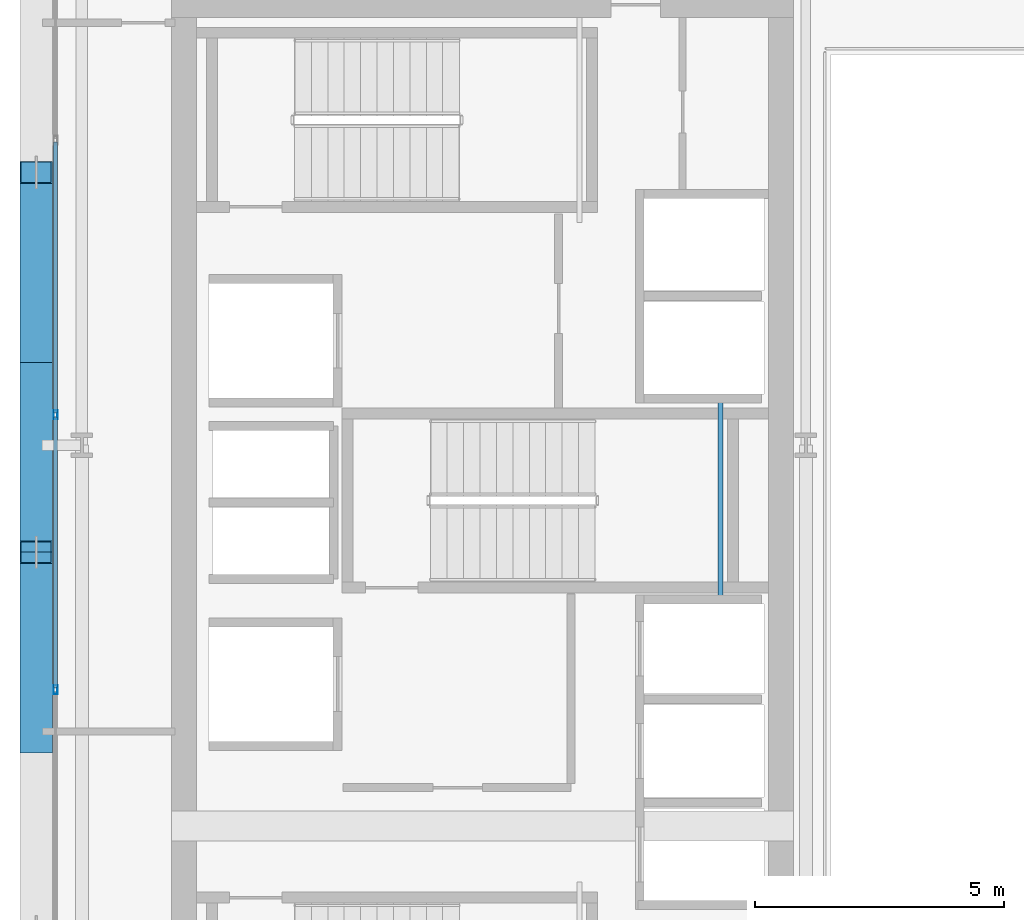
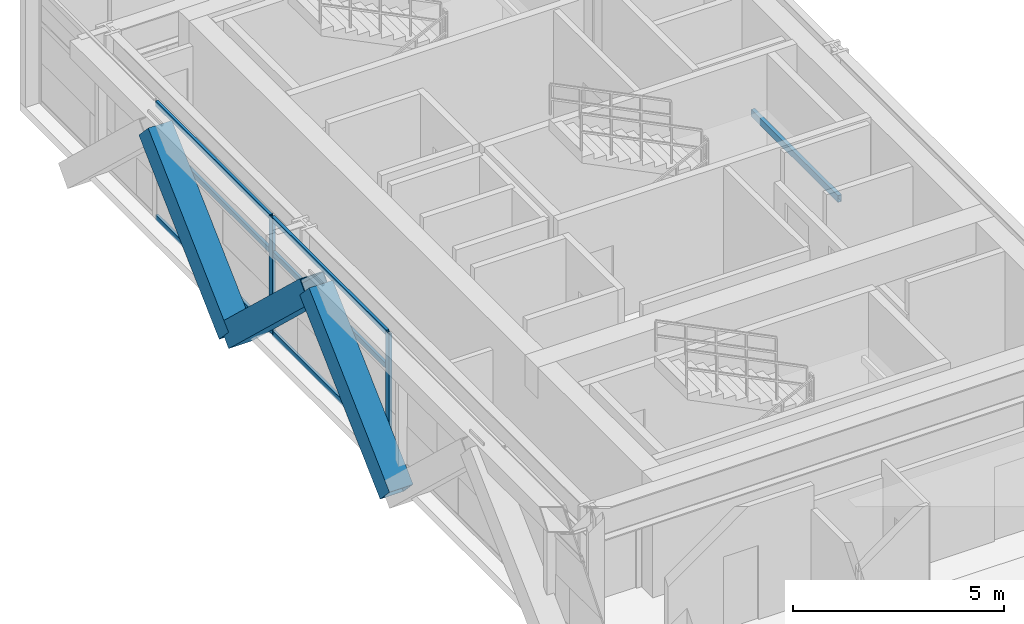
# One storey, part 7 of 31: 11 members, 1 beam, 1 element without a shape of its own.
"""IFC4 building model written with IfcOpenShell, lengths in metres."""

from ifc_helpers import new_model, si_unit, direction, frame, origin, origin_2d, place, context, subcontext, project, spatial, hollow_rectangle, extrude, source, transform, mapped, material, layer, layer_set, material_profile, profile_set, type_object, element, aggregate, save


model = new_model("IFC4")

# Units and contexts
model_context = context("Model", 3, precision=1e-05, world=origin(), true_north=direction((0.0, 1.0)))
body_context = subcontext(model_context, "Body", "Model", "MODEL_VIEW")
ifc_project = project(units=[si_unit("LENGTHUNIT", "METRE"), si_unit("AREAUNIT", "SQUARE_METRE"), si_unit("VOLUMEUNIT", "CUBIC_METRE"), si_unit("PLANEANGLEUNIT", "RADIAN"), si_unit("MASSUNIT", "GRAM", prefix="KILO")], contexts=[model_context])

# Site, building, storey
site_placement = place(None, origin())
site = spatial("IfcSite", under=ifc_project, at=site_placement, CompositionType="ELEMENT")
building_placement = place(site_placement, origin())
building = spatial("IfcBuilding", under=site, at=building_placement, Name="Ocotamira Hotel", CompositionType="ELEMENT")
storey_placement = place(building_placement, frame((0.0, 0.0, 181.199951171875)))
storey = spatial("IfcBuildingStorey", under=building, at=storey_placement, Name="L45", CompositionType="ELEMENT", Elevation=181.199951171875)

# Beam
ifc_material_1 = material(Name="Steel ASTM A500 Grade C", Category="steel")
ifc_material_profile_1 = material_profile(ifc_material_1, hollow_rectangle(XDim=0.10009765625, YDim=0.199951171875, WallThickness=0.008056640625, at=origin_2d()), Name="HSS200X100X8")
ifc_profile_set_1 = profile_set([ifc_material_profile_1], Name="Steel ASTM A500 Grade C")
beam_type = type_object("IfcBeamType", Name="BM-STLDG-HSS200", PredefinedType="BEAM", material=ifc_profile_set_1)
shared_shape_1 = source(origin(), body_context, "Body", "SweptSolid", [
    extrude(hollow_rectangle(XDim=0.10009765625, YDim=0.199951171875, WallThickness=0.008056640625, at=origin_2d()), origin(), (0.0, 0.0, 1.0), 4.1201171875),
])
beam_placement = place(storey_placement, frame((21.780029296875, 24.97998046875, 1.5), z_axis=(0.0, 1.0, 0.0), x_axis=(-1.0, 0.0, 0.0)))
element("IfcBeam", 1, at=beam_placement, inside=storey, type_object=beam_type, Name="L45 Stair ST-3 Landing Bearer 1", PredefinedType="BEAM", context=body_context, shape_type="MappedRepresentation", body=[
    mapped(shared_shape_1, transform((0.0, 0.0, 0.0), scale=1.0)),
])

# Members
ifc_material_2 = material(Name="Pale-metal coated steel ASTM A913 Grade 65", Category="steel")
ifc_material_profile_2 = material_profile(ifc_material_2, hollow_rectangle(XDim=0.64990234375, YDim=0.64990234375, WallThickness=0.02197265625, at=origin_2d()), Name="BOX650X650X22")
ifc_profile_set_2 = profile_set([ifc_material_profile_2], Name="Pale-metal coated steel ASTM A913 Grade 65")
member_type_1 = type_object("IfcMemberType", Name="MEM-EXO-BOX650", PredefinedType="BRACE", material=ifc_profile_set_2)
shared_shape_2 = source(origin(), body_context, "Body", "SweptSolid", [
    extrude(hollow_rectangle(XDim=0.64990234375, YDim=0.64990234375, WallThickness=0.02197265625, at=origin_2d()), origin(), (0.0, 0.0, 1.0), 5.24658203125),
])
for number, where, z_axis, x_axis, name in (
    (2, (8.030029296875, 22.183349609375, -0.47998046875), (0.0, 0.727442733726, 0.686168397078), (-1.0, 0.0, 0.0), "L45 Exoskeleton Diagrid W1.1"),
    (3, (8.030029296875, 29.816650390625, -0.47998046875), (0.0, -0.727442733726, 0.686168397078), (1.0, 0.0, 0.0), "L45 Exoskeleton Diagrid W1.2"),
    (4, (8.030029296875, 29.816650390625, -0.47998046875), (0.0, 0.727442733726, 0.686168397078), (-1.0, 0.0, 0.0), "L45 Exoskeleton Diagrid W2.1"),
):
    element("IfcMember", number, at=place(storey_placement, frame(where, z_axis=z_axis, x_axis=x_axis)), inside=storey, type_object=member_type_1, Name=name, PredefinedType="BRACE", context=body_context, shape_type="MappedRepresentation", body=[
        mapped(shared_shape_2, transform((0.0, 0.0, 0.0), scale=1.0)),
    ])

# Curtain wall, members
ifc_material_3 = material(Name="Anodised pale-metal aluminium and solar glass", Category="aluminium")
ifc_layer = layer(ifc_material_3, 0.199951171875)
ifc_layer_set = layer_set([ifc_layer], Name="Anodised pale-metal aluminium and solar glass")
curtain_wall_type = type_object("IfcCurtainWallType", Name="CW-SYS4-Z3", PredefinedType="NOTDEFINED", material=ifc_layer_set)
curtain_wall_placement = place(storey_placement, origin())
curtain_wall = element("IfcCurtainWall", 5, at=curtain_wall_placement, inside=storey, type_object=curtain_wall_type, Name="L45 Curtain Wall CW-4 CW-L45-W", PredefinedType="NOTDEFINED")
ifc_material_4 = material(Name="Anodised pale-metal aluminium 6063-T6", Category="aluminium")
ifc_material_profile_3 = material_profile(ifc_material_4, hollow_rectangle(XDim=0.080078125, YDim=0.179931640625, WallThickness=0.006103515625, at=origin_2d()), Name="HSS180X80X6")
ifc_profile_set_3 = profile_set([ifc_material_profile_3], Name="Anodised pale-metal aluminium 6063-T6")
member_type_2 = type_object("IfcMemberType", Name="CWM-180X75", PredefinedType="MULLION", material=ifc_profile_set_3)
shared_shape_3 = source(origin(), body_context, "Body", "SweptSolid", [
    extrude(hollow_rectangle(XDim=0.080078125, YDim=0.179931640625, WallThickness=0.006103515625, at=origin_2d()), origin(), (0.0, 0.0, 1.0), 3.3701171875),
])
member_1_placement = place(storey_placement, frame((8.419921875, 23.239990234375, 0.0), z_axis=(0.0, 0.0, 1.0), x_axis=(-1.0, 0.0, 0.0)))
member_1 = element("IfcMember", 6, at=member_1_placement, type_object=member_type_2, Name="CW-4 mullion 3", PredefinedType="MULLION", context=body_context, shape_type="MappedRepresentation", body=[
    mapped(shared_shape_3, transform((0.0, 0.0, 0.0), scale=1.0)),
])
member_2_placement = place(storey_placement, frame((8.419921875, 28.760009765625, 0.0), z_axis=(0.0, 0.0, 1.0), x_axis=(-1.0, 0.0, 0.0)))
member_2 = element("IfcMember", 7, at=member_2_placement, type_object=member_type_2, Name="CW-4 mullion 4", PredefinedType="MULLION", context=body_context, shape_type="MappedRepresentation", body=[
    mapped(shared_shape_3, transform((0.0, 0.0, 0.0), scale=1.0)),
])
ifc_material_profile_4 = material_profile(ifc_material_4, hollow_rectangle(XDim=0.074951171875, YDim=0.14990234375, WallThickness=0.006103515625, at=origin_2d()), Name="HSS150X75X6")
ifc_profile_set_4 = profile_set([ifc_material_profile_4], Name="Anodised pale-metal aluminium 6063-T6")
member_type_3 = type_object("IfcMemberType", Name="CWT-150X75", PredefinedType="USERDEFINED", material=ifc_profile_set_4)
shared_shape_4 = source(origin(), body_context, "Body", "SweptSolid", [
    extrude(hollow_rectangle(XDim=0.074951171875, YDim=0.14990234375, WallThickness=0.006103515625, at=origin_2d()), origin(), (0.0, 0.0, 1.0), 5.43994140625),
])
member_3_placement = place(storey_placement, frame((8.419921875, 23.280029296875, 0.03759765625), z_axis=(0.0, 1.0, 0.0), x_axis=(-1.0, 0.0, 0.0)))
member_3 = element("IfcMember", 8, at=member_3_placement, type_object=member_type_3, Name="CW-4 transom 3.1", ObjectType="TRANSOM", PredefinedType="USERDEFINED", context=body_context, shape_type="MappedRepresentation", body=[
    mapped(shared_shape_4, transform((0.0, 0.0, 0.0), scale=1.0)),
])
member_4_placement = place(storey_placement, frame((8.419921875, 23.280029296875, 2.35009765625), z_axis=(0.0, 1.0, 0.0), x_axis=(-1.0, 0.0, 0.0)))
member_4 = element("IfcMember", 9, at=member_4_placement, type_object=member_type_3, Name="CW-4 transom 3.2", ObjectType="TRANSOM", PredefinedType="USERDEFINED", context=body_context, shape_type="MappedRepresentation", body=[
    mapped(shared_shape_4, transform((0.0, 0.0, 0.0), scale=1.0)),
])
member_5_placement = place(storey_placement, frame((8.419921875, 23.280029296875, 3.33251953125), z_axis=(0.0, 1.0, 0.0), x_axis=(-1.0, 0.0, 0.0)))
member_5 = element("IfcMember", 10, at=member_5_placement, type_object=member_type_3, Name="CW-4 transom 3.3", ObjectType="TRANSOM", PredefinedType="USERDEFINED", context=body_context, shape_type="MappedRepresentation", body=[
    mapped(shared_shape_4, transform((0.0, 0.0, 0.0), scale=1.0)),
])
member_6_placement = place(storey_placement, frame((8.419921875, 28.800048828125, 0.03759765625), z_axis=(0.0, 1.0, 0.0), x_axis=(-1.0, 0.0, 0.0)))
member_6 = element("IfcMember", 11, at=member_6_placement, type_object=member_type_3, Name="CW-4 transom 4.1", ObjectType="TRANSOM", PredefinedType="USERDEFINED", context=body_context, shape_type="MappedRepresentation", body=[
    mapped(shared_shape_4, transform((0.0, 0.0, 0.0), scale=1.0)),
])
member_7_placement = place(storey_placement, frame((8.419921875, 28.800048828125, 2.35009765625), z_axis=(0.0, 1.0, 0.0), x_axis=(-1.0, 0.0, 0.0)))
member_7 = element("IfcMember", 12, at=member_7_placement, type_object=member_type_3, Name="CW-4 transom 4.2", ObjectType="TRANSOM", PredefinedType="USERDEFINED", context=body_context, shape_type="MappedRepresentation", body=[
    mapped(shared_shape_4, transform((0.0, 0.0, 0.0), scale=1.0)),
])
member_8_placement = place(storey_placement, frame((8.419921875, 28.800048828125, 3.33251953125), z_axis=(0.0, 1.0, 0.0), x_axis=(-1.0, 0.0, 0.0)))
member_8 = element("IfcMember", 13, at=member_8_placement, type_object=member_type_3, Name="CW-4 transom 4.3", ObjectType="TRANSOM", PredefinedType="USERDEFINED", context=body_context, shape_type="MappedRepresentation", body=[
    mapped(shared_shape_4, transform((0.0, 0.0, 0.0), scale=1.0)),
])
aggregate(curtain_wall, [member_1, member_2, member_3, member_4, member_5, member_6, member_7, member_8])

save(model, "model.ifc")
